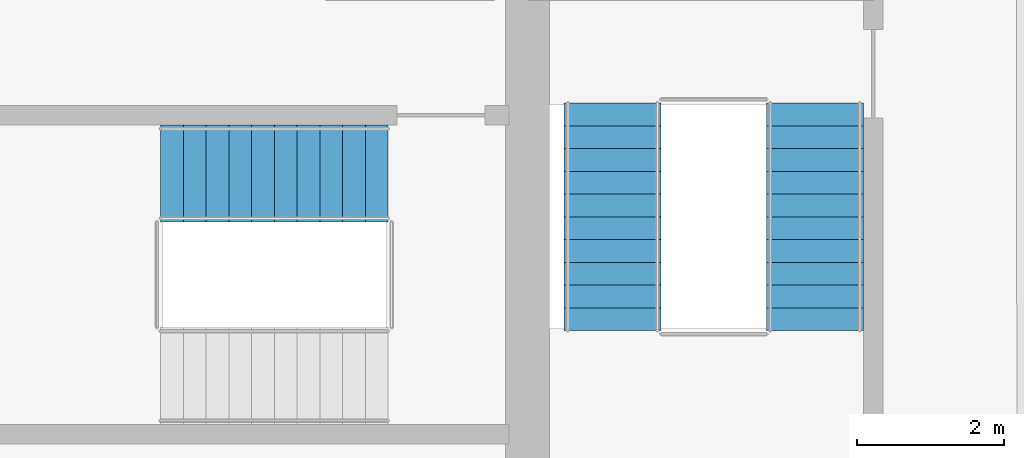
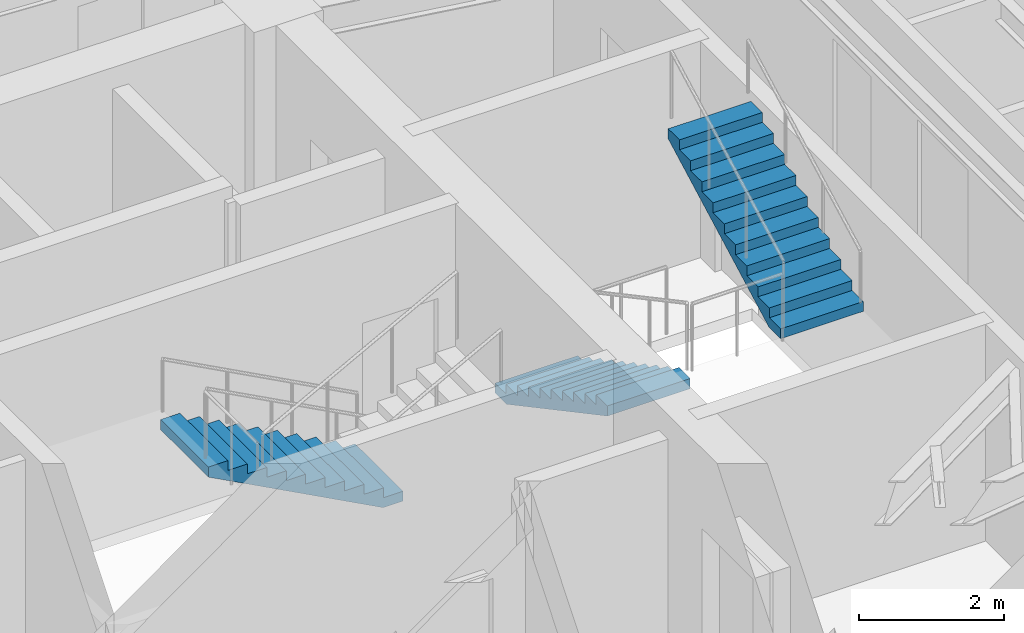
# One storey, part 20 of 22: 3 stair flights, 2 elements without a shape of their own.
"""IFC4 building model written with IfcOpenShell, lengths in metres."""

from ifc_helpers import new_model, si_unit, direction, frame, origin, place, context, subcontext, project, spatial, polyline, outline, extrude, material, type_object, element, aggregate, save


model = new_model("IFC4")

# Units and contexts
model_context = context("Model", 3, precision=1e-05, world=origin(), true_north=direction((0.0, 1.0)))
body_context = subcontext(model_context, "Body", "Model", "MODEL_VIEW")
ifc_project = project(units=[si_unit("LENGTHUNIT", "METRE"), si_unit("AREAUNIT", "SQUARE_METRE"), si_unit("VOLUMEUNIT", "CUBIC_METRE"), si_unit("PLANEANGLEUNIT", "RADIAN"), si_unit("MASSUNIT", "GRAM", prefix="KILO")], contexts=[model_context])

# Site, building, storey
site_placement = place(None, origin())
site = spatial("IfcSite", under=ifc_project, at=site_placement, CompositionType="ELEMENT")
building_placement = place(site_placement, origin())
building = spatial("IfcBuilding", under=site, at=building_placement, Name="Lazwardi Medical Tower", CompositionType="ELEMENT")
storey_placement = place(building_placement, frame((0.0, 0.0, 224.01611328125)))
storey = spatial("IfcBuildingStorey", under=building, at=storey_placement, Name="L58", CompositionType="ELEMENT", Elevation=224.01611328125)

# Stair, stair flight
ifc_material = material(Name="Concrete C45/55", Category="concrete")
stair_type = type_object("IfcStairType", Name="STR-WRD", PredefinedType="HALF_TURN_STAIR", material=ifc_material)
stair_1_placement = place(storey_placement, origin())
stair_1 = element("IfcStair", 1, at=stair_1_placement, inside=storey, type_object=stair_type, Name="L58 Protected Exit Stair ST2", PredefinedType="HALF_TURN_STAIR")
stair_flight_type = type_object("IfcStairFlightType", Name="FLT-WRD", PredefinedType="STRAIGHT", material=ifc_material)
stair_flight_1_placement = place(storey_placement, frame((43.800048828125, 29.43994140625, 0.0), z_axis=(0.0, 0.0, 1.0), x_axis=(-1.0, 0.0, 0.0)))
stair_flight_1 = element("IfcStairFlight", 2, at=stair_flight_1_placement, type_object=stair_flight_type, Name="ST2 flight 1", NumberOfRisers=11, NumberOfTreads=10, PredefinedType="STRAIGHT", RiserHeight=0.165818182, TreadLength=0.31, context=body_context, shape_type="SweptSolid", body=[
    extrude(outline(polyline([(0.0, 0.0), (0.0, 0.165771484375), (0.31005859375, 0.165771484375), (0.31005859375, 0.33154296875), (0.6201171875, 0.33154296875), (0.6201171875, 0.49755859375), (0.929931640625, 0.49755859375), (0.929931640625, 0.663330078125), (1.239990234375, 0.663330078125), (1.239990234375, 0.8291015625), (1.550048828125, 0.8291015625), (1.550048828125, 0.994873046875), (1.860107421875, 0.994873046875), (1.860107421875, 1.16064453125), (2.169921875, 1.16064453125), (2.169921875, 1.32666015625), (2.47998046875, 1.32666015625), (2.47998046875, 1.492431640625), (2.7900390625, 1.492431640625), (2.7900390625, 1.658203125), (3.10009765625, 1.658203125), (3.10009765625, 1.823974609375), (3.10009765625, 1.48828125), (0.31787109375, 0.0), (0.0, 0.0)])), frame((0.0, 0.66015625, 0.0), z_axis=(0.0, -1.0, 0.0), x_axis=(1.0, 0.0, 0.0)), (0.0, 0.0, 1.0), 1.320068359375),
])
aggregate(stair_1, [stair_flight_1])

# Stair, stair flights
stair_2_placement = place(storey_placement, origin())
stair_2 = element("IfcStair", 3, at=stair_2_placement, inside=storey, type_object=stair_type, Name="L58 Protected Exit Stair ST3", PredefinedType="HALF_TURN_STAIR")
stair_flight_2_placement = place(storey_placement, frame((46.860107421875, 30.39990234375, 0.0), z_axis=(0.0, 0.0, 1.0), x_axis=(0.0, -1.0, 0.0)))
stair_flight_2 = element("IfcStairFlight", 4, at=stair_flight_2_placement, type_object=stair_flight_type, Name="ST3 flight 1", NumberOfRisers=11, NumberOfTreads=10, PredefinedType="STRAIGHT", RiserHeight=0.165818182, TreadLength=0.31, context=body_context, shape_type="SweptSolid", body=[
    extrude(outline(polyline([(0.0, 0.0), (0.0, 0.165771484375), (0.31005859375, 0.165771484375), (0.31005859375, 0.33154296875), (0.6201171875, 0.33154296875), (0.6201171875, 0.49755859375), (0.929931640625, 0.49755859375), (0.929931640625, 0.663330078125), (1.239990234375, 0.663330078125), (1.239990234375, 0.8291015625), (1.550048828125, 0.8291015625), (1.550048828125, 0.994873046875), (1.860107421875, 0.994873046875), (1.860107421875, 1.16064453125), (2.169921875, 1.16064453125), (2.169921875, 1.32666015625), (2.47998046875, 1.32666015625), (2.47998046875, 1.492431640625), (2.7900390625, 1.492431640625), (2.7900390625, 1.658203125), (3.10009765625, 1.658203125), (3.10009765625, 1.823974609375), (3.10009765625, 1.48828125), (0.31787109375, 0.0), (0.0, 0.0)])), frame((0.0, 0.66015625, 0.0), z_axis=(0.0, -1.0, 0.0), x_axis=(1.0, 0.0, 0.0)), (0.0, 0.0, 1.0), 1.320068359375),
])
stair_flight_3_placement = place(storey_placement, frame((49.6201171875, 27.300048828125, 1.823974609375), z_axis=(0.0, 0.0, 1.0), x_axis=(0.0, 1.0, 0.0)))
stair_flight_3 = element("IfcStairFlight", 5, at=stair_flight_3_placement, type_object=stair_flight_type, Name="ST3 flight 2", NumberOfRisers=11, NumberOfTreads=10, PredefinedType="STRAIGHT", RiserHeight=0.165818182, TreadLength=0.31, context=body_context, shape_type="SweptSolid", body=[
    extrude(outline(polyline([(0.0, 0.0), (0.0, 0.165771484375), (0.31005859375, 0.165771484375), (0.31005859375, 0.33154296875), (0.6201171875, 0.33154296875), (0.6201171875, 0.49755859375), (0.929931640625, 0.49755859375), (0.929931640625, 0.663330078125), (1.239990234375, 0.663330078125), (1.239990234375, 0.8291015625), (1.550048828125, 0.8291015625), (1.550048828125, 0.994873046875), (1.860107421875, 0.994873046875), (1.860107421875, 1.16064453125), (2.169921875, 1.16064453125), (2.169921875, 1.32666015625), (2.47998046875, 1.32666015625), (2.47998046875, 1.492431640625), (2.7900390625, 1.492431640625), (2.7900390625, 1.658203125), (3.10009765625, 1.658203125), (3.10009765625, 1.823974609375), (3.10009765625, 1.48828125), (0.31787109375, 0.0), (0.0, 0.0)])), frame((0.0, 0.66015625, 0.0), z_axis=(0.0, -1.0, 0.0), x_axis=(1.0, 0.0, 0.0)), (0.0, 0.0, 1.0), 1.320068359375),
])
aggregate(stair_2, [stair_flight_2, stair_flight_3])

save(model, "model.ifc")
